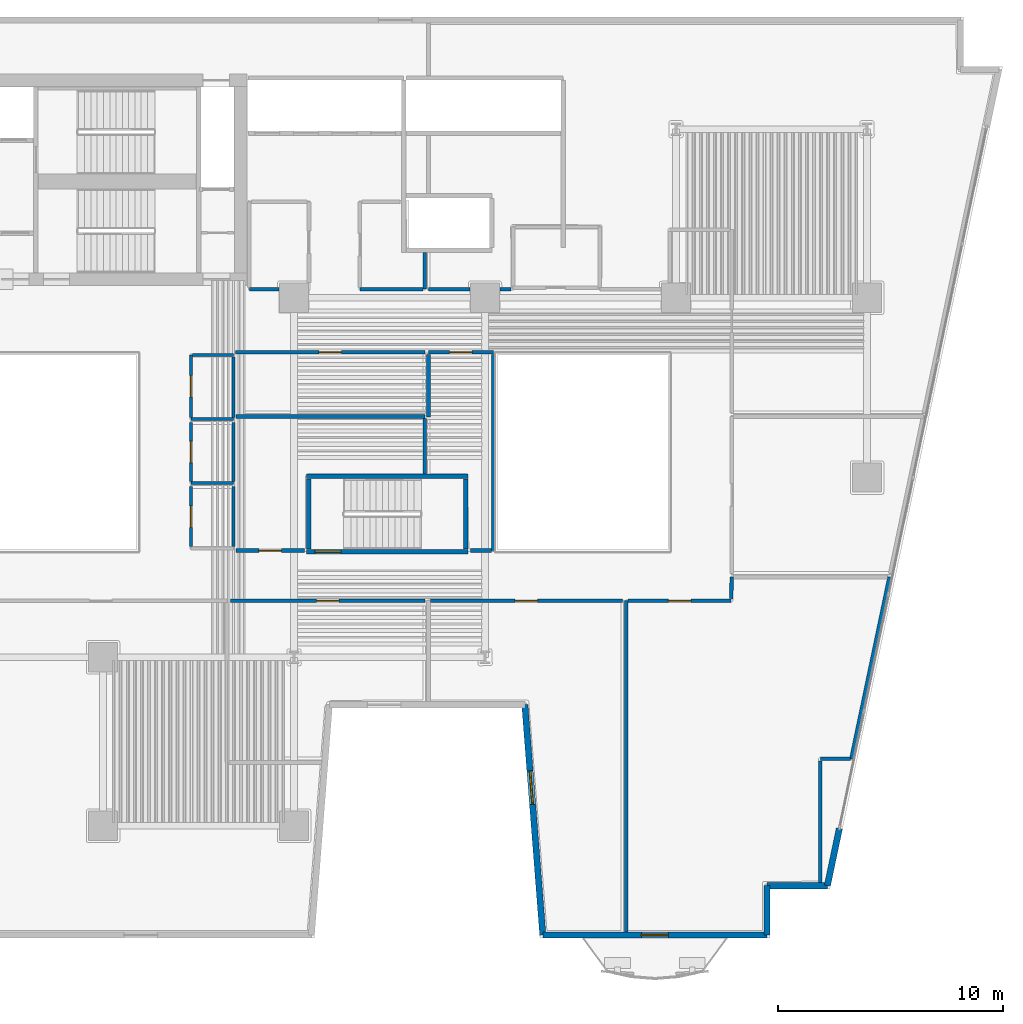
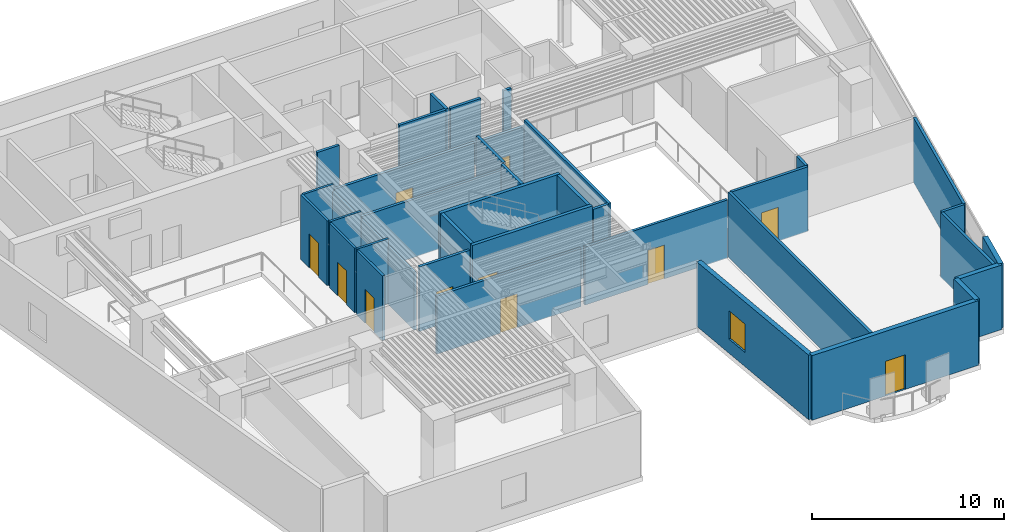
# One storey, part 4 of 11: 39 walls, 11 doors, 1 window, 12 openings.
"""IFC4 building model written with IfcOpenShell, lengths in metres."""

from ifc_helpers import new_model, si_unit, direction, frame, frame_2d, origin, place, context, subcontext, project, spatial, rectangle, extrude, material, layer, layer_set, type_object, element, fill, save


model = new_model("IFC4")

# Units and contexts
model_context = context("Model", 3, precision=1e-05, world=origin(), true_north=direction((0.0, 1.0)))
body_context = subcontext(model_context, "Body", "Model", "MODEL_VIEW")
ifc_project = project(units=[si_unit("LENGTHUNIT", "METRE"), si_unit("AREAUNIT", "SQUARE_METRE"), si_unit("VOLUMEUNIT", "CUBIC_METRE"), si_unit("PLANEANGLEUNIT", "RADIAN"), si_unit("MASSUNIT", "GRAM", prefix="KILO")], contexts=[model_context])

# Site, building, storey
site_placement = place(None, origin())
site = spatial("IfcSite", under=ifc_project, at=site_placement, CompositionType="ELEMENT")
building_placement = place(site_placement, origin())
building = spatial("IfcBuilding", under=site, at=building_placement, Name="Caeloran Harvest Quay", CompositionType="ELEMENT")
storey_placement = place(building_placement, frame((0.0, 0.0, 62.199951171875)))
storey = spatial("IfcBuildingStorey", under=building, at=storey_placement, Name="L14", CompositionType="ELEMENT", Elevation=62.199951171875)

# Walls
ifc_material_1 = material(Name="Precast concrete C50/60", Category="concrete")
ifc_layer_1 = layer(ifc_material_1, 0.280029296875, Name="Precast concrete C50/60")
ifc_layer_set_1 = layer_set([ifc_layer_1], Name="Precast concrete C50/60")
wall_type_1 = type_object("IfcWallType", Name="ENV-WALL-EW-280", PredefinedType="STANDARD", material=ifc_layer_set_1)
wall_1_placement = place(storey_placement, frame((49.77001953125, 7.384521484375, 0.0), z_axis=(0.0, 0.0, 1.0), x_axis=(-0.205551409765, -0.978646319128, 0.0)))
element("IfcWall", 1, at=wall_1_placement, inside=storey, type_object=wall_type_1, Name="L14 Exterior Facade Corner Pier Wall 9B", PredefinedType="STANDARD", context=body_context, shape_type="SweptSolid", body=[
    extrude(rectangle(XDim=2.599853515625, YDim=0.280029296875, at=frame_2d((1.2998046875, 0.0))), origin(), (0.0, 0.0, 1.0), 4.10009765625),
])
wall_2_placement = place(storey_placement, frame((49.235595703125, 4.840087890625, 0.0), z_axis=(0.0, 0.0, 1.0), x_axis=(-1.0, 0.0, 0.0)))
element("IfcWall", 2, at=wall_2_placement, inside=storey, type_object=wall_type_1, Name="L14 Exterior Precast Concrete Facade Wall 10", PredefinedType="STANDARD", context=body_context, shape_type="SweptSolid", body=[
    extrude(rectangle(XDim=2.6884765625, YDim=0.280029296875, at=frame_2d((1.34423828125, 0.0))), origin(), (0.0, 0.0, 1.0), 4.10009765625),
])
wall_3_placement = place(storey_placement, frame((46.547119140625, 4.840087890625, 0.0), z_axis=(0.0, 0.0, 1.0), x_axis=(0.0, -1.0, 0.0)))
element("IfcWall", 3, at=wall_3_placement, inside=storey, type_object=wall_type_1, Name="L14 Exterior Precast Concrete Facade Wall 11", PredefinedType="STANDARD", context=body_context, shape_type="SweptSolid", body=[
    extrude(rectangle(XDim=2.2001953125, YDim=0.280029296875, at=frame_2d((1.10009765625, 0.0))), origin(), (0.0, 0.0, 1.0), 4.10009765625),
])

# Wall, opening, door
wall_4_placement = place(storey_placement, frame((46.547119140625, 2.639892578125, 0.0), z_axis=(0.0, 0.0, 1.0), x_axis=(-1.0, 0.0, 0.0)))
wall_4 = element("IfcWall", 4, at=wall_4_placement, inside=storey, type_object=wall_type_1, Name="L14 Exterior Precast Concrete Facade Wall 12", PredefinedType="STANDARD", context=body_context, shape_type="SweptSolid", body=[
    extrude(rectangle(XDim=9.97705078125, YDim=0.280029296875, at=frame_2d((4.988525390625, 0.0))), origin(), (0.0, 0.0, 1.0), 4.10009765625),
])
opening_1_placement = place(wall_4_placement, frame((4.387939453125, 0.0, 0.0)))
opening_1 = element("IfcOpeningElement", 5, at=opening_1_placement, cuts=wall_4, Name="Opening BD-01", PredefinedType="OPENING", context=body_context, shape_type="SweptSolid", body=[
    extrude(rectangle(XDim=1.199951171875, YDim=2.199951171875, at=frame_2d((0.60009765625, 1.10009765625))), frame((0.0, 0.14990234375, 0.0), z_axis=(0.0, -1.0, 0.0), x_axis=(1.0, 0.0, 0.0)), (0.0, 0.0, 1.0), 0.300048828125),
])
ifc_material_2 = material(Name="Thermally Broken Powder-Coated Aluminium and Safety Glass", Category="aluminium")
door_type_1 = type_object("IfcDoorType", Name="EXTDOOR-BD-01", OperationType="NOTDEFINED", PredefinedType="DOOR", material=ifc_material_2)
door_1_placement = place(opening_1_placement, origin())
door_1 = element("IfcDoor", 6, at=door_1_placement, inside=storey, type_object=door_type_1, Name="L14 Planted Balcony Glazed Access Door", OperationType="SINGLE_SWING_LEFT", OverallHeight=2.199951171875, OverallWidth=1.199951171875, PredefinedType="DOOR", context=body_context, shape_type="SweptSolid", body=[
    extrude(rectangle(XDim=1.199951171875, YDim=2.199951171875, at=frame_2d((0.60009765625, 1.10009765625))), frame((0.0, 0.02490234375, 0.0), z_axis=(0.0, -1.0, 0.0), x_axis=(1.0, 0.0, 0.0)), (0.0, 0.0, 1.0), 0.050048828125),
])
fill(opening_1, door_1)

# Wall, opening, window
wall_5_placement = place(storey_placement, frame((36.570068359375, 2.639892578125, 0.0), z_axis=(0.0, 0.0, 1.0), x_axis=(-0.077816860153, 0.996967670627, 0.0)))
wall_5 = element("IfcWall", 7, at=wall_5_placement, inside=storey, type_object=wall_type_1, Name="L14 Exterior Precast Concrete Facade Wall 13", PredefinedType="STANDARD", context=body_context, shape_type="SweptSolid", body=[
    extrude(rectangle(XDim=10.28125, YDim=0.280029296875, at=frame_2d((5.140625, 0.0))), origin(), (0.0, 0.0, 1.0), 4.10009765625),
])
opening_2_placement = place(wall_5_placement, frame((5.830078125, 0.0, 0.89990234375)))
opening_2 = element("IfcOpeningElement", 8, at=opening_2_placement, cuts=wall_5, Name="Opening W-03", PredefinedType="OPENING", context=body_context, shape_type="SweptSolid", body=[
    extrude(rectangle(XDim=1.5, YDim=1.800048828125, at=frame_2d((0.75, 0.89990234375))), frame((0.0, 0.14990234375, 0.0), z_axis=(0.0, -1.0, 0.0), x_axis=(1.0, 0.0, 0.0)), (0.0, 0.0, 1.0), 0.300048828125),
])
ifc_material_3 = material(Name="Aluminium-Framed Low-E Laminated Glass", Category="aluminium")
window_type = type_object("IfcWindowType", Name="WIN-W-03", PartitioningType="SINGLE_PANEL", PredefinedType="WINDOW", material=ifc_material_3)
window_placement = place(opening_2_placement, origin())
window = element("IfcWindow", 9, at=window_placement, inside=storey, type_object=window_type, Name="L14 Facade Punched Window W-03", OverallHeight=1.800048828125, OverallWidth=1.5, PartitioningType="SINGLE_PANEL", PredefinedType="WINDOW", context=body_context, shape_type="SweptSolid", body=[
    extrude(rectangle(XDim=1.5, YDim=1.800048828125, at=frame_2d((0.75, 0.89990234375))), frame((0.0, 0.030029296875, 0.0), z_axis=(0.0, -1.0, 0.0), x_axis=(1.0, 0.0, 0.0)), (0.0, 0.0, 1.0), 0.06005859375),
])
fill(opening_2, window)

# Wall
ifc_material_4 = material(Name="Moisture-Resistant Cement-Board Sanitary Partition", Category="gypsum")
ifc_layer_2 = layer(ifc_material_4, 0.139892578125, Name="Moisture-Resistant Cement-Board Sanitary Partition")
ifc_layer_set_2 = layer_set([ifc_layer_2], Name="Moisture-Resistant Cement-Board Sanitary Partition")
wall_type_2 = type_object("IfcWallType", Name="INT-WALL-PW-140", PredefinedType="PARTITIONING", material=ifc_layer_set_2)
wall_6_placement = place(storey_placement, frame((22.800048828125, 25.60009765625, 0.0), z_axis=(0.0, 0.0, 1.0), x_axis=(-1.0, 0.0, 0.0)))
element("IfcWall", 10, at=wall_6_placement, inside=storey, type_object=wall_type_2, Name="L14 Male Washroom WC Partition Wall", PredefinedType="PARTITIONING", context=body_context, shape_type="SweptSolid", body=[
    extrude(rectangle(XDim=1.89013671875, YDim=0.139892578125, at=frame_2d((0.945068359375, 0.0))), origin(), (0.0, 0.0, 1.0), 4.10009765625),
])

# Wall, opening, door
wall_7_placement = place(storey_placement, frame((20.909912109375, 25.675048828125, 0.0), z_axis=(0.0, 0.0, 1.0), x_axis=(0.0, 1.0, 0.0)))
wall_7 = element("IfcWall", 11, at=wall_7_placement, inside=storey, type_object=wall_type_2, Name="L14 Male Washroom WC Partition Wall", PredefinedType="PARTITIONING", context=body_context, shape_type="SweptSolid", body=[
    extrude(rectangle(XDim=2.77490234375, YDim=0.139892578125, at=frame_2d((1.387451171875, 0.0))), origin(), (0.0, 0.0, 1.0), 4.10009765625),
])
opening_3_placement = place(wall_7_placement, frame((0.91259765625, 0.0, 0.0)))
opening_3 = element("IfcOpeningElement", 12, at=opening_3_placement, cuts=wall_7, Name="Opening WC-01", PredefinedType="OPENING", context=body_context, shape_type="SweptSolid", body=[
    extrude(rectangle(XDim=0.949951171875, YDim=2.14990234375, at=frame_2d((0.47509765625, 1.074951171875))), frame((0.0, 0.080078125, 0.0), z_axis=(0.0, -1.0, 0.0), x_axis=(1.0, 0.0, 0.0)), (0.0, 0.0, 1.0), 0.159912109375),
])
ifc_material_5 = material(Name="High-Pressure Laminate Moisture-Resistant Timber", Category="wood")
door_type_2 = type_object("IfcDoorType", Name="INTDOOR-WC-01", OperationType="NOTDEFINED", PredefinedType="DOOR", material=ifc_material_5)
door_2_placement = place(opening_3_placement, origin())
door_2 = element("IfcDoor", 13, at=door_2_placement, inside=storey, type_object=door_type_2, Name="L14 Male Washroom WC Access Door", OperationType="SINGLE_SWING_RIGHT", OverallHeight=2.14990234375, OverallWidth=0.949951171875, PredefinedType="DOOR", context=body_context, shape_type="SweptSolid", body=[
    extrude(rectangle(XDim=0.949951171875, YDim=2.14990234375, at=frame_2d((0.47509765625, 1.074951171875))), frame((0.0, 0.02490234375, 0.0), z_axis=(0.0, -1.0, 0.0), x_axis=(1.0, 0.0, 0.0)), (0.0, 0.0, 1.0), 0.050048828125),
])
fill(opening_3, door_2)

# Walls
wall_8_placement = place(storey_placement, frame((20.985107421875, 28.449951171875, 0.0), z_axis=(0.0, 0.0, 1.0), x_axis=(1.0, 0.0, 0.0)))
element("IfcWall", 14, at=wall_8_placement, inside=storey, type_object=wall_type_2, Name="L14 Male Washroom WC Partition Wall", PredefinedType="PARTITIONING", context=body_context, shape_type="SweptSolid", body=[
    extrude(rectangle(XDim=1.81494140625, YDim=0.139892578125, at=frame_2d((0.907470703125, 0.0))), origin(), (0.0, 0.0, 1.0), 4.10009765625),
])
wall_9_placement = place(storey_placement, frame((22.800048828125, 28.375, 0.0), z_axis=(0.0, 0.0, 1.0), x_axis=(0.0, -1.0, 0.0)))
element("IfcWall", 15, at=wall_9_placement, inside=storey, type_object=wall_type_2, Name="L14 Male Washroom WC Partition Wall", PredefinedType="PARTITIONING", context=body_context, shape_type="SweptSolid", body=[
    extrude(rectangle(XDim=2.699951171875, YDim=0.139892578125, at=frame_2d((1.35009765625, 0.0))), origin(), (0.0, 0.0, 1.0), 3.68505859375),
])
wall_10_placement = place(storey_placement, frame((22.800048828125, 22.75, 0.0), z_axis=(0.0, 0.0, 1.0), x_axis=(-1.0, 0.0, 0.0)))
element("IfcWall", 16, at=wall_10_placement, inside=storey, type_object=wall_type_2, Name="L14 Female Washroom WC Partition Wall", PredefinedType="PARTITIONING", context=body_context, shape_type="SweptSolid", body=[
    extrude(rectangle(XDim=1.89013671875, YDim=0.139892578125, at=frame_2d((0.945068359375, 0.0))), origin(), (0.0, 0.0, 1.0), 4.10009765625),
])

# Wall, opening, door
wall_11_placement = place(storey_placement, frame((20.909912109375, 22.824951171875, 0.0), z_axis=(0.0, 0.0, 1.0), x_axis=(0.0, 1.0, 0.0)))
wall_11 = element("IfcWall", 17, at=wall_11_placement, inside=storey, type_object=wall_type_2, Name="L14 Female Washroom WC Partition Wall", PredefinedType="PARTITIONING", context=body_context, shape_type="SweptSolid", body=[
    extrude(rectangle(XDim=2.625, YDim=0.139892578125, at=frame_2d((1.3125, 0.0))), origin(), (0.0, 0.0, 1.0), 4.10009765625),
])
opening_4_placement = place(wall_11_placement, frame((0.83740234375, 0.0, 0.0)))
opening_4 = element("IfcOpeningElement", 18, at=opening_4_placement, cuts=wall_11, Name="Opening WC-01", PredefinedType="OPENING", context=body_context, shape_type="SweptSolid", body=[
    extrude(rectangle(XDim=0.949951171875, YDim=2.14990234375, at=frame_2d((0.47509765625, 1.074951171875))), frame((0.0, 0.080078125, 0.0), z_axis=(0.0, -1.0, 0.0), x_axis=(1.0, 0.0, 0.0)), (0.0, 0.0, 1.0), 0.159912109375),
])
door_3_placement = place(opening_4_placement, origin())
door_3 = element("IfcDoor", 19, at=door_3_placement, inside=storey, type_object=door_type_2, Name="L14 Female Washroom WC Access Door", OperationType="SINGLE_SWING_LEFT", OverallHeight=2.14990234375, OverallWidth=0.949951171875, PredefinedType="DOOR", context=body_context, shape_type="SweptSolid", body=[
    extrude(rectangle(XDim=0.949951171875, YDim=2.14990234375, at=frame_2d((0.47509765625, 1.074951171875))), frame((0.0, 0.02490234375, 0.0), z_axis=(0.0, -1.0, 0.0), x_axis=(1.0, 0.0, 0.0)), (0.0, 0.0, 1.0), 0.050048828125),
])
fill(opening_4, door_3)

# Wall
wall_12_placement = place(storey_placement, frame((22.800048828125, 25.449951171875, 0.0), z_axis=(0.0, 0.0, 1.0), x_axis=(0.0, -1.0, 0.0)))
element("IfcWall", 20, at=wall_12_placement, inside=storey, type_object=wall_type_2, Name="L14 Female Washroom WC Partition Wall", PredefinedType="PARTITIONING", context=body_context, shape_type="SweptSolid", body=[
    extrude(rectangle(XDim=2.625, YDim=0.139892578125, at=frame_2d((1.3125, 0.0))), origin(), (0.0, 0.0, 1.0), 3.68505859375),
])

# Wall, opening, door
wall_13_placement = place(storey_placement, frame((20.909912109375, 19.925048828125, 0.0), z_axis=(0.0, 0.0, 1.0), x_axis=(0.0, 1.0, 0.0)))
wall_13 = element("IfcWall", 21, at=wall_13_placement, inside=storey, type_object=wall_type_2, Name="L14 Accessible Unisex Washroom WC Partition Wall", PredefinedType="PARTITIONING", context=body_context, shape_type="SweptSolid", body=[
    extrude(rectangle(XDim=2.675048828125, YDim=0.139892578125, at=frame_2d((1.33740234375, 0.0))), origin(), (0.0, 0.0, 1.0), 4.10009765625),
])
opening_5_placement = place(wall_13_placement, frame((0.862548828125, 0.0, 0.0)))
opening_5 = element("IfcOpeningElement", 22, at=opening_5_placement, cuts=wall_13, Name="Opening WC-01", PredefinedType="OPENING", context=body_context, shape_type="SweptSolid", body=[
    extrude(rectangle(XDim=0.949951171875, YDim=2.14990234375, at=frame_2d((0.47509765625, 1.074951171875))), frame((0.0, 0.080078125, 0.0), z_axis=(0.0, -1.0, 0.0), x_axis=(1.0, 0.0, 0.0)), (0.0, 0.0, 1.0), 0.159912109375),
])
door_4_placement = place(opening_5_placement, origin())
door_4 = element("IfcDoor", 23, at=door_4_placement, inside=storey, type_object=door_type_2, Name="L14 Accessible Unisex Washroom WC Access Door", OperationType="SINGLE_SWING_RIGHT", OverallHeight=2.14990234375, OverallWidth=0.949951171875, PredefinedType="DOOR", context=body_context, shape_type="SweptSolid", body=[
    extrude(rectangle(XDim=0.949951171875, YDim=2.14990234375, at=frame_2d((0.47509765625, 1.074951171875))), frame((0.0, 0.02490234375, 0.0), z_axis=(0.0, -1.0, 0.0), x_axis=(1.0, 0.0, 0.0)), (0.0, 0.0, 1.0), 0.050048828125),
])
fill(opening_5, door_4)

# Walls
wall_14_placement = place(storey_placement, frame((22.800048828125, 22.60009765625, 0.0), z_axis=(0.0, 0.0, 1.0), x_axis=(0.0, -1.0, 0.0)))
element("IfcWall", 24, at=wall_14_placement, inside=storey, type_object=wall_type_2, Name="L14 Accessible Unisex Washroom WC Partition Wall", PredefinedType="PARTITIONING", context=body_context, shape_type="SweptSolid", body=[
    extrude(rectangle(XDim=2.675048828125, YDim=0.139892578125, at=frame_2d((1.33740234375, 0.0))), origin(), (0.0, 0.0, 1.0), 3.68505859375),
])
ifc_material_6 = material(Name="Autoclaved Aerated Concrete Blockwork", Category="masonry")
ifc_layer_3 = layer(ifc_material_6, 0.1650390625, Name="Autoclaved Aerated Concrete Blockwork")
ifc_layer_set_3 = layer_set([ifc_layer_3], Name="Autoclaved Aerated Concrete Blockwork")
wall_type_3 = type_object("IfcWallType", Name="INT-WALL-PW-165", PredefinedType="PARTITIONING", material=ifc_layer_set_3)
wall_15_placement = place(storey_placement, frame((51.9970703125, 18.570068359375, 0.0), z_axis=(0.0, 0.0, 1.0), x_axis=(-0.205523740085, -0.978652130362, 0.0)))
element("IfcWall", 25, at=wall_15_placement, inside=storey, type_object=wall_type_3, Name="Hydroponic Culinary Kitchen Partition Wall", PredefinedType="PARTITIONING", context=body_context, shape_type="SweptSolid", body=[
    extrude(rectangle(XDim=8.2666015625, YDim=0.1650390625, at=frame_2d((4.13330078125, 0.0))), origin(), (0.0, 0.0, 1.0), 4.10009765625),
])
wall_16_placement = place(storey_placement, frame((50.273681640625, 10.47998046875, 0.0), z_axis=(0.0, 0.0, 1.0), x_axis=(-1.0, 0.0, 0.0)))
element("IfcWall", 26, at=wall_16_placement, inside=storey, type_object=wall_type_3, Name="Hydroponic Culinary Kitchen Partition Wall", PredefinedType="PARTITIONING", context=body_context, shape_type="SweptSolid", body=[
    extrude(rectangle(XDim=1.353759765625, YDim=0.1650390625, at=frame_2d((0.6767578125, 0.0))), origin(), (0.0, 0.0, 1.0), 4.10009765625),
])
wall_17_placement = place(storey_placement, frame((48.919921875, 10.392578125, 0.0), z_axis=(0.0, 0.0, 1.0), x_axis=(0.0, -1.0, 0.0)))
element("IfcWall", 27, at=wall_17_placement, inside=storey, type_object=wall_type_3, Name="Hydroponic Culinary Kitchen Partition Wall", PredefinedType="PARTITIONING", context=body_context, shape_type="SweptSolid", body=[
    extrude(rectangle(XDim=5.407470703125, YDim=0.1650390625, at=frame_2d((2.70361328125, 0.0))), origin(), (0.0, 0.0, 1.0), 4.10009765625),
])
wall_18_placement = place(storey_placement, frame((40.280029296875, 2.784912109375, 0.0), z_axis=(0.0, 0.0, 1.0), x_axis=(0.0, 1.0, 0.0)))
element("IfcWall", 28, at=wall_18_placement, inside=storey, type_object=wall_type_3, Name="Hydroponic Culinary Kitchen Partition Wall", PredefinedType="PARTITIONING", context=body_context, shape_type="SweptSolid", body=[
    extrude(rectangle(XDim=14.735107421875, YDim=0.1650390625, at=frame_2d((7.36767578125, 0.0))), origin(), (0.0, 0.0, 1.0), 4.10009765625),
])

# Wall, opening, door
wall_19_placement = place(storey_placement, frame((40.367431640625, 17.52001953125, 0.0), z_axis=(0.0, 0.0, 1.0), x_axis=(1.0, 0.0, 0.0)))
wall_19 = element("IfcWall", 29, at=wall_19_placement, inside=storey, type_object=wall_type_3, Name="Hydroponic Culinary Kitchen Partition Wall", PredefinedType="PARTITIONING", context=body_context, shape_type="SweptSolid", body=[
    extrude(rectangle(XDim=4.58251953125, YDim=0.1650390625, at=frame_2d((2.291259765625, 0.0))), origin(), (0.0, 0.0, 1.0), 4.10009765625),
])
opening_6_placement = place(wall_19_placement, frame((1.791259765625, 0.0, 0.0)))
opening_6 = element("IfcOpeningElement", 30, at=opening_6_placement, cuts=wall_19, Name="Opening ID-01", PredefinedType="OPENING", context=body_context, shape_type="SweptSolid", body=[
    extrude(rectangle(XDim=1.0, YDim=2.14990234375, at=frame_2d((0.5, 1.074951171875))), frame((0.0, 0.092529296875, 0.0), z_axis=(0.0, -1.0, 0.0), x_axis=(1.0, 0.0, 0.0)), (0.0, 0.0, 1.0), 0.18505859375),
])
ifc_material_7 = material(Name="FSC Solid-Core Ash Timber and Acoustic Seal", Category="wood")
door_type_3 = type_object("IfcDoorType", Name="INTDOOR-ID-01", OperationType="NOTDEFINED", PredefinedType="DOOR", material=ifc_material_7)
door_5_placement = place(opening_6_placement, origin())
door_5 = element("IfcDoor", 31, at=door_5_placement, inside=storey, type_object=door_type_3, Name="Hydroponic Culinary Kitchen Access Door", OperationType="SINGLE_SWING_RIGHT", OverallHeight=2.14990234375, OverallWidth=1.0, PredefinedType="DOOR", context=body_context, shape_type="SweptSolid", body=[
    extrude(rectangle(XDim=1.0, YDim=2.14990234375, at=frame_2d((0.5, 1.074951171875))), frame((0.0, 0.02490234375, 0.0), z_axis=(0.0, -1.0, 0.0), x_axis=(1.0, 0.0, 0.0)), (0.0, 0.0, 1.0), 0.050048828125),
])
fill(opening_6, door_5)

# Wall
wall_20_placement = place(storey_placement, frame((44.952392578125, 17.606689453125, 0.0), z_axis=(0.0, 0.0, 1.0), x_axis=(0.028624859452, 0.999590224753, 0.0)))
element("IfcWall", 32, at=wall_20_placement, inside=storey, type_object=wall_type_3, Name="Hydroponic Culinary Kitchen Partition Wall", PredefinedType="PARTITIONING", context=body_context, shape_type="SweptSolid", body=[
    extrude(rectangle(XDim=0.9638671875, YDim=0.1650390625, at=frame_2d((0.48193359375, 0.0))), origin(), (0.0, 0.0, 1.0), 4.10009765625),
])

# Wall, opening, door
wall_21_placement = place(storey_placement, frame((31.5673828125, 17.52001953125, 0.0), z_axis=(0.0, 0.0, 1.0), x_axis=(1.0, 0.0, 0.0)))
wall_21 = element("IfcWall", 33, at=wall_21_placement, inside=storey, type_object=wall_type_3, Name="Seedling Sensory Salon Lounge Partition Wall", PredefinedType="PARTITIONING", context=body_context, shape_type="SweptSolid", body=[
    extrude(rectangle(XDim=8.552734375, YDim=0.1650390625, at=frame_2d((4.2763671875, 0.0))), origin(), (0.0, 0.0, 1.0), 3.68505859375),
])
opening_7_placement = place(wall_21_placement, frame((3.776123046875, 0.0, 0.0)))
opening_7 = element("IfcOpeningElement", 34, at=opening_7_placement, cuts=wall_21, Name="Opening ID-01", PredefinedType="OPENING", context=body_context, shape_type="SweptSolid", body=[
    extrude(rectangle(XDim=1.0, YDim=2.14990234375, at=frame_2d((0.5, 1.074951171875))), frame((0.0, 0.092529296875, 0.0), z_axis=(0.0, -1.0, 0.0), x_axis=(1.0, 0.0, 0.0)), (0.0, 0.0, 1.0), 0.18505859375),
])
door_6_placement = place(opening_7_placement, origin())
door_6 = element("IfcDoor", 35, at=door_6_placement, inside=storey, type_object=door_type_3, Name="Seedling Sensory Salon Lounge Access Door", OperationType="SINGLE_SWING_LEFT", OverallHeight=2.14990234375, OverallWidth=1.0, PredefinedType="DOOR", context=body_context, shape_type="SweptSolid", body=[
    extrude(rectangle(XDim=1.0, YDim=2.14990234375, at=frame_2d((0.5, 1.074951171875))), frame((0.0, 0.02490234375, 0.0), z_axis=(0.0, -1.0, 0.0), x_axis=(1.0, 0.0, 0.0)), (0.0, 0.0, 1.0), 0.050048828125),
])
fill(opening_7, door_6)

wall_22_placement = place(storey_placement, frame((22.679931640625, 17.52001953125, 0.0), z_axis=(0.0, 0.0, 1.0), x_axis=(1.0, 0.0, 0.0)))
wall_22 = element("IfcWall", 36, at=wall_22_placement, inside=storey, type_object=wall_type_3, Name="Harvest Seminar Room Partition Wall", PredefinedType="PARTITIONING", context=body_context, shape_type="SweptSolid", body=[
    extrude(rectangle(XDim=8.64013671875, YDim=0.1650390625, at=frame_2d((4.320068359375, 0.0))), origin(), (0.0, 0.0, 1.0), 3.68505859375),
])
opening_8_placement = place(wall_22_placement, frame((3.820068359375, 0.0, 0.0)))
opening_8 = element("IfcOpeningElement", 37, at=opening_8_placement, cuts=wall_22, Name="Opening ID-01", PredefinedType="OPENING", context=body_context, shape_type="SweptSolid", body=[
    extrude(rectangle(XDim=1.0, YDim=2.14990234375, at=frame_2d((0.5, 1.074951171875))), frame((0.0, 0.092529296875, 0.0), z_axis=(0.0, -1.0, 0.0), x_axis=(1.0, 0.0, 0.0)), (0.0, 0.0, 1.0), 0.18505859375),
])
door_7_placement = place(opening_8_placement, origin())
door_7 = element("IfcDoor", 38, at=door_7_placement, inside=storey, type_object=door_type_3, Name="Harvest Seminar Room Access Door", OperationType="SINGLE_SWING_LEFT", OverallHeight=2.14990234375, OverallWidth=1.0, PredefinedType="DOOR", context=body_context, shape_type="SweptSolid", body=[
    extrude(rectangle(XDim=1.0, YDim=2.14990234375, at=frame_2d((0.5, 1.074951171875))), frame((0.0, 0.02490234375, 0.0), z_axis=(0.0, -1.0, 0.0), x_axis=(1.0, 0.0, 0.0)), (0.0, 0.0, 1.0), 0.050048828125),
])
fill(opening_8, door_7)

wall_23_placement = place(storey_placement, frame((25.95556640625, 19.75, 0.0), z_axis=(0.0, 0.0, 1.0), x_axis=(-1.0, 0.0, 0.0)))
wall_23 = element("IfcWall", 39, at=wall_23_placement, inside=storey, type_object=wall_type_3, Name="Tea Blending Kitchen Partition Wall", PredefinedType="PARTITIONING", context=body_context, shape_type="SweptSolid", body=[
    extrude(rectangle(XDim=3.045654296875, YDim=0.1650390625, at=frame_2d((1.52294921875, 0.0))), origin(), (0.0, 0.0, 1.0), 4.10009765625),
])
opening_9_placement = place(wall_23_placement, frame((1.022705078125, 0.0, 0.0)))
opening_9 = element("IfcOpeningElement", 40, at=opening_9_placement, cuts=wall_23, Name="Opening ID-01", PredefinedType="OPENING", context=body_context, shape_type="SweptSolid", body=[
    extrude(rectangle(XDim=1.0, YDim=2.14990234375, at=frame_2d((0.5, 1.074951171875))), frame((0.0, 0.092529296875, 0.0), z_axis=(0.0, -1.0, 0.0), x_axis=(1.0, 0.0, 0.0)), (0.0, 0.0, 1.0), 0.18505859375),
])
door_8_placement = place(opening_9_placement, origin())
door_8 = element("IfcDoor", 41, at=door_8_placement, inside=storey, type_object=door_type_3, Name="Tea Blending Kitchen Access Door", OperationType="SINGLE_SWING_LEFT", OverallHeight=2.14990234375, OverallWidth=1.0, PredefinedType="DOOR", context=body_context, shape_type="SweptSolid", body=[
    extrude(rectangle(XDim=1.0, YDim=2.14990234375, at=frame_2d((0.5, 1.074951171875))), frame((0.0, 0.02490234375, 0.0), z_axis=(0.0, -1.0, 0.0), x_axis=(1.0, 0.0, 0.0)), (0.0, 0.0, 1.0), 0.050048828125),
])
fill(opening_9, door_8)

# Walls
wall_24_placement = place(storey_placement, frame((22.909912109375, 25.719970703125, 0.0), z_axis=(0.0, 0.0, 1.0), x_axis=(1.0, 0.0, 0.0)))
element("IfcWall", 42, at=wall_24_placement, inside=storey, type_object=wall_type_3, Name="Tea Blending Kitchen Partition Wall", PredefinedType="PARTITIONING", context=body_context, shape_type="SweptSolid", body=[
    extrude(rectangle(XDim=8.41015625, YDim=0.1650390625, at=frame_2d((4.205078125, 0.0))), origin(), (0.0, 0.0, 1.0), 3.68505859375),
])
wall_25_placement = place(storey_placement, frame((31.320068359375, 25.632568359375, 0.0), z_axis=(0.0, 0.0, 1.0), x_axis=(0.0, -1.0, 0.0)))
element("IfcWall", 43, at=wall_25_placement, inside=storey, type_object=wall_type_3, Name="Tea Blending Kitchen Partition Wall", PredefinedType="PARTITIONING", context=body_context, shape_type="SweptSolid", body=[
    extrude(rectangle(XDim=2.4775390625, YDim=0.1650390625, at=frame_2d((1.23876953125, 0.0))), origin(), (0.0, 0.0, 1.0), 4.10009765625),
])

# Wall, opening, door
wall_26_placement = place(storey_placement, frame((31.47998046875, 28.570068359375, 0.0), z_axis=(0.0, 0.0, 1.0), x_axis=(1.0, 0.0, 0.0)))
wall_26 = element("IfcWall", 44, at=wall_26_placement, inside=storey, type_object=wall_type_3, Name="Fermented Botanical Kitchen 8 Partition Wall", PredefinedType="PARTITIONING", context=body_context, shape_type="SweptSolid", body=[
    extrude(rectangle(XDim=2.89013671875, YDim=0.1650390625, at=frame_2d((1.445068359375, 0.0))), origin(), (0.0, 0.0, 1.0), 3.68505859375),
])
opening_10_placement = place(wall_26_placement, frame((0.945068359375, 0.0, 0.0)))
opening_10 = element("IfcOpeningElement", 45, at=opening_10_placement, cuts=wall_26, Name="Opening ID-01", PredefinedType="OPENING", context=body_context, shape_type="SweptSolid", body=[
    extrude(rectangle(XDim=1.0, YDim=2.14990234375, at=frame_2d((0.5, 1.074951171875))), frame((0.0, 0.092529296875, 0.0), z_axis=(0.0, -1.0, 0.0), x_axis=(1.0, 0.0, 0.0)), (0.0, 0.0, 1.0), 0.18505859375),
])
door_9_placement = place(opening_10_placement, origin())
door_9 = element("IfcDoor", 46, at=door_9_placement, inside=storey, type_object=door_type_3, Name="Fermented Botanical Kitchen 8 Access Door", OperationType="SINGLE_SWING_RIGHT", OverallHeight=2.14990234375, OverallWidth=1.0, PredefinedType="DOOR", context=body_context, shape_type="SweptSolid", body=[
    extrude(rectangle(XDim=1.0, YDim=2.14990234375, at=frame_2d((0.5, 1.074951171875))), frame((0.0, 0.02490234375, 0.0), z_axis=(0.0, -1.0, 0.0), x_axis=(1.0, 0.0, 0.0)), (0.0, 0.0, 1.0), 0.050048828125),
])
fill(opening_10, door_9)

# Walls
wall_27_placement = place(storey_placement, frame((34.3701171875, 28.482421875, 0.0), z_axis=(0.0, 0.0, 1.0), x_axis=(0.0, -1.0, 0.0)))
element("IfcWall", 47, at=wall_27_placement, inside=storey, type_object=wall_type_3, Name="Fermented Botanical Kitchen 8 Partition Wall", PredefinedType="PARTITIONING", context=body_context, shape_type="SweptSolid", body=[
    extrude(rectangle(XDim=8.732421875, YDim=0.1650390625, at=frame_2d((4.3662109375, 0.0))), origin(), (0.0, 0.0, 1.0), 4.10009765625),
])
wall_28_placement = place(storey_placement, frame((34.282470703125, 19.75, 0.0), z_axis=(0.0, 0.0, 1.0), x_axis=(-1.0, 0.0, 0.0)))
element("IfcWall", 48, at=wall_28_placement, inside=storey, type_object=wall_type_3, Name="Fermented Botanical Kitchen 8 Partition Wall", PredefinedType="PARTITIONING", context=body_context, shape_type="SweptSolid", body=[
    extrude(rectangle(XDim=0.93798828125, YDim=0.1650390625, at=frame_2d((0.468994140625, 0.0))), origin(), (0.0, 0.0, 1.0), 4.10009765625),
])
wall_29_placement = place(storey_placement, frame((31.47998046875, 25.686279296875, 0.0), z_axis=(0.0, 0.0, 1.0), x_axis=(0.0, 1.0, 0.0)))
element("IfcWall", 49, at=wall_29_placement, inside=storey, type_object=wall_type_3, Name="Fermented Botanical Kitchen 8 Partition Wall", PredefinedType="PARTITIONING", context=body_context, shape_type="SweptSolid", body=[
    extrude(rectangle(XDim=2.796142578125, YDim=0.1650390625, at=frame_2d((1.39794921875, 0.0))), origin(), (0.0, 0.0, 1.0), 4.10009765625),
])

# Wall, opening, door
wall_30_placement = place(storey_placement, frame((22.889892578125, 28.570068359375, 0.0), z_axis=(0.0, 0.0, 1.0), x_axis=(1.0, 0.0, 0.0)))
wall_30 = element("IfcWall", 50, at=wall_30_placement, inside=storey, type_object=wall_type_3, Name="Hydroponic Culinary Kitchen 9 Partition Wall", PredefinedType="PARTITIONING", context=body_context, shape_type="SweptSolid", body=[
    extrude(rectangle(XDim=8.43017578125, YDim=0.1650390625, at=frame_2d((4.215087890625, 0.0))), origin(), (0.0, 0.0, 1.0), 3.68505859375),
])
opening_11_placement = place(wall_30_placement, frame((3.715087890625, 0.0, 0.0)))
opening_11 = element("IfcOpeningElement", 51, at=opening_11_placement, cuts=wall_30, Name="Opening ID-01", PredefinedType="OPENING", context=body_context, shape_type="SweptSolid", body=[
    extrude(rectangle(XDim=1.0, YDim=2.14990234375, at=frame_2d((0.5, 1.074951171875))), frame((0.0, 0.092529296875, 0.0), z_axis=(0.0, -1.0, 0.0), x_axis=(1.0, 0.0, 0.0)), (0.0, 0.0, 1.0), 0.18505859375),
])
door_10_placement = place(opening_11_placement, origin())
door_10 = element("IfcDoor", 52, at=door_10_placement, inside=storey, type_object=door_type_3, Name="Hydroponic Culinary Kitchen 9 Access Door", OperationType="SINGLE_SWING_LEFT", OverallHeight=2.14990234375, OverallWidth=1.0, PredefinedType="DOOR", context=body_context, shape_type="SweptSolid", body=[
    extrude(rectangle(XDim=1.0, YDim=2.14990234375, at=frame_2d((0.5, 1.074951171875))), frame((0.0, 0.02490234375, 0.0), z_axis=(0.0, -1.0, 0.0), x_axis=(1.0, 0.0, 0.0)), (0.0, 0.0, 1.0), 0.050048828125),
])
fill(opening_11, door_10)

# Walls
wall_31_placement = place(storey_placement, frame((31.320068359375, 33.014892578125, 0.0), z_axis=(0.0, 0.0, 1.0), x_axis=(0.0, -1.0, 0.0)))
element("IfcWall", 53, at=wall_31_placement, inside=storey, type_object=wall_type_3, Name="Seedling Sensory Salon Lounge 10 Partition Wall", PredefinedType="PARTITIONING", context=body_context, shape_type="SweptSolid", body=[
    extrude(rectangle(XDim=1.635009765625, YDim=0.1650390625, at=frame_2d((0.8173828125, 0.0))), origin(), (0.0, 0.0, 1.0), 4.10009765625),
])
wall_32_placement = place(storey_placement, frame((31.232421875, 31.3798828125, 0.0), z_axis=(0.0, 0.0, 1.0), x_axis=(-1.0, 0.0, 0.0)))
element("IfcWall", 54, at=wall_32_placement, inside=storey, type_object=wall_type_3, Name="Seedling Sensory Salon Lounge 10 Partition Wall", PredefinedType="PARTITIONING", context=body_context, shape_type="SweptSolid", body=[
    extrude(rectangle(XDim=2.802490234375, YDim=0.1650390625, at=frame_2d((1.4013671875, 0.0))), origin(), (0.0, 0.0, 1.0), 4.10009765625),
])
wall_33_placement = place(storey_placement, frame((24.824951171875, 31.3798828125, 0.0), z_axis=(0.0, 0.0, 1.0), x_axis=(-1.0, 0.0, 0.0)))
element("IfcWall", 55, at=wall_33_placement, inside=storey, type_object=wall_type_3, Name="Pollination Dining Lounge 11 Partition Wall", PredefinedType="PARTITIONING", context=body_context, shape_type="SweptSolid", body=[
    extrude(rectangle(XDim=1.31494140625, YDim=0.1650390625, at=frame_2d((0.657470703125, 0.0))), origin(), (0.0, 0.0, 1.0), 4.10009765625),
])
wall_34_placement = place(storey_placement, frame((35.155517578125, 31.3798828125, 0.0), z_axis=(0.0, 0.0, 1.0), x_axis=(-1.0, 0.0, 0.0)))
element("IfcWall", 56, at=wall_34_placement, inside=storey, type_object=wall_type_3, Name="Harvest Seminar Room 12 Partition Wall", PredefinedType="PARTITIONING", context=body_context, shape_type="SweptSolid", body=[
    extrude(rectangle(XDim=0.48046875, YDim=0.1650390625, at=frame_2d((0.240234375, 0.0))), origin(), (0.0, 0.0, 1.0), 4.10009765625),
])
wall_35_placement = place(storey_placement, frame((33.324951171875, 31.3798828125, 0.0), z_axis=(0.0, 0.0, 1.0), x_axis=(-1.0, 0.0, 0.0)))
element("IfcWall", 57, at=wall_35_placement, inside=storey, type_object=wall_type_3, Name="Harvest Seminar Room 12 Partition Wall", PredefinedType="PARTITIONING", context=body_context, shape_type="SweptSolid", body=[
    extrude(rectangle(XDim=1.844970703125, YDim=0.1650390625, at=frame_2d((0.92236328125, 0.0))), origin(), (0.0, 0.0, 1.0), 4.10009765625),
])

# Wall, opening, door
ifc_material_8 = material(Name="Concrete C60/75", Category="concrete")
ifc_layer_4 = layer(ifc_material_8, 0.199951171875, Name="Concrete C60/75")
ifc_layer_set_4 = layer_set([ifc_layer_4], Name="Concrete C60/75")
wall_type_4 = type_object("IfcWallType", Name="STR-WALL-SW-200", PredefinedType="SHEAR", material=ifc_layer_set_4)
wall_36_placement = place(storey_placement, frame((26.050048828125, 19.699951171875, 0.0), z_axis=(0.0, 0.0, 1.0), x_axis=(1.0, 0.0, 0.0)))
wall_36 = element("IfcWall", 58, at=wall_36_placement, inside=storey, type_object=wall_type_4, Name="L14 Stair ST-W1 S RC Shaft Shear Wall", PredefinedType="SHEAR", context=body_context, shape_type="SweptSolid", body=[
    extrude(rectangle(XDim=7.199951171875, YDim=0.199951171875, at=frame_2d((3.60009765625, 0.0))), origin(), (0.0, 0.0, 1.0), 4.400146484375),
])
opening_12_placement = place(wall_36_placement, frame((0.3798828125, 0.0, 0.0)))
opening_12 = element("IfcOpeningElement", 59, at=opening_12_placement, cuts=wall_36, Name="Opening SD-01", PredefinedType="OPENING", context=body_context, shape_type="SweptSolid", body=[
    extrude(rectangle(XDim=1.14990234375, YDim=2.199951171875, at=frame_2d((0.574951171875, 1.10009765625))), frame((0.0, 0.10986328125, 0.0), z_axis=(0.0, -1.0, 0.0), x_axis=(1.0, 0.0, 0.0)), (0.0, 0.0, 1.0), 0.219970703125),
])
ifc_material_9 = material(Name="Steel", Category="steel")
door_type_4 = type_object("IfcDoorType", Name="INTDOOR-SD-01", OperationType="NOTDEFINED", PredefinedType="DOOR", material=ifc_material_9)
door_11_placement = place(opening_12_placement, origin())
door_11 = element("IfcDoor", 60, at=door_11_placement, inside=storey, type_object=door_type_4, Name="L14 Protected Exit Stair ST-W1 Fire Door", OperationType="SINGLE_SWING_RIGHT", OverallHeight=2.199951171875, OverallWidth=1.14990234375, PredefinedType="DOOR", context=body_context, shape_type="SweptSolid", body=[
    extrude(rectangle(XDim=1.14990234375, YDim=2.199951171875, at=frame_2d((0.574951171875, 1.10009765625))), frame((0.0, 0.02490234375, 0.0), z_axis=(0.0, -1.0, 0.0), x_axis=(1.0, 0.0, 0.0)), (0.0, 0.0, 1.0), 0.050048828125),
])
fill(opening_12, door_11)

# Walls
wall_37_placement = place(storey_placement, frame((26.050048828125, 23.050048828125, 0.0), z_axis=(0.0, 0.0, 1.0), x_axis=(1.0, 0.0, 0.0)))
element("IfcWall", 61, at=wall_37_placement, inside=storey, type_object=wall_type_4, Name="L14 Stair ST-W1 N RC Shaft Shear Wall", PredefinedType="SHEAR", context=body_context, shape_type="SweptSolid", body=[
    extrude(rectangle(XDim=7.199951171875, YDim=0.199951171875, at=frame_2d((3.60009765625, 0.0))), origin(), (0.0, 0.0, 1.0), 4.400146484375),
])
for number, where, z_axis, x_axis, name in (
    (62, (26.14990234375, 19.81005859375, 0.0), (0.0, 0.0, 1.0), (0.0, 1.0, 0.0), "L14 Stair ST-W1 W RC Shaft Shear Wall"),
    (63, (33.14990234375, 19.81005859375, 0.0), (0.0, 0.0, 1.0), (0.0, 1.0, 0.0), "L14 Stair ST-W1 E RC Shaft Shear Wall"),
):
    element("IfcWall", number, at=place(storey_placement, frame(where, z_axis=z_axis, x_axis=x_axis)), inside=storey, type_object=wall_type_4, Name=name, PredefinedType="SHEAR", context=body_context, shape_type="SweptSolid", body=[
        extrude(rectangle(XDim=3.1298828125, YDim=0.199951171875, at=frame_2d((1.56494140625, 0.0))), origin(), (0.0, 0.0, 1.0), 4.400146484375),
    ])

save(model, "model.ifc")
